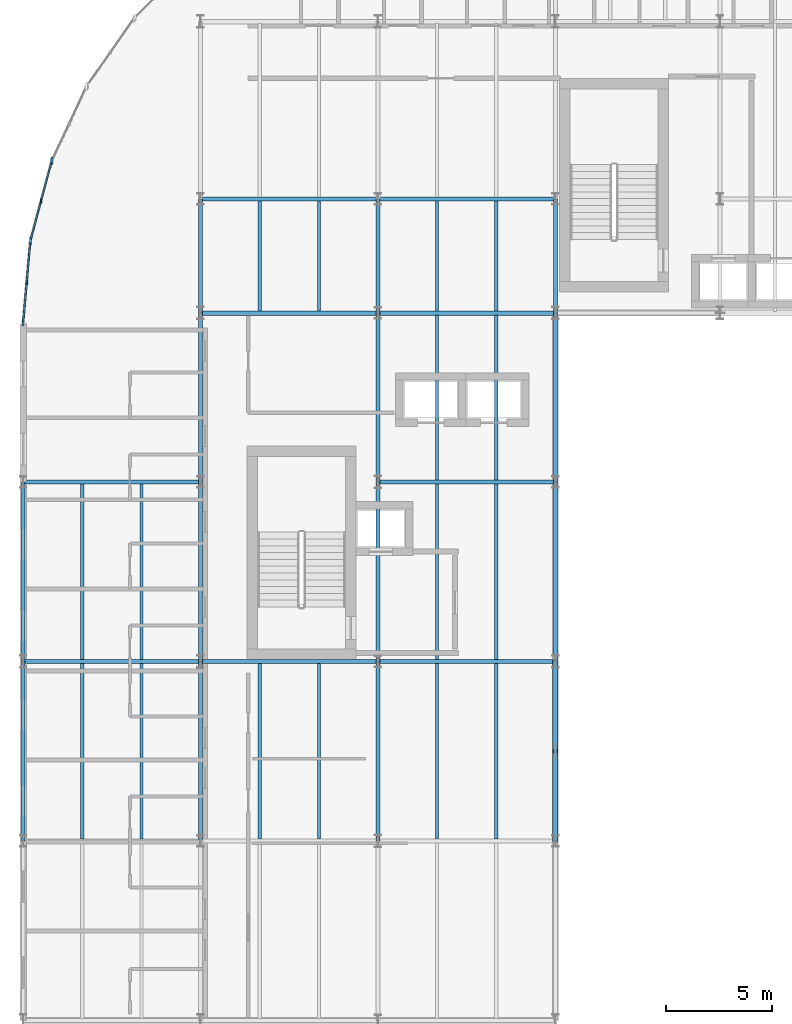
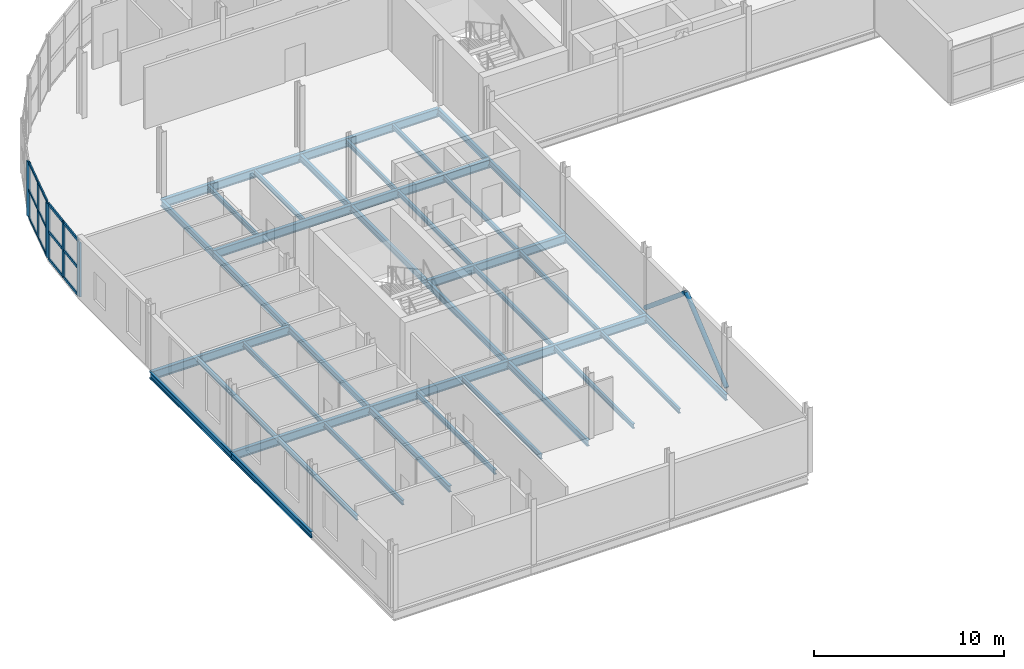
# One storey, part 13 of 45: 39 beams, 21 members, 3 elements without a shape of their own.
"""IFC4 building model written with IfcOpenShell, lengths in metres."""

from ifc_helpers import new_model, si_unit, direction, frame, origin, origin_2d, place, context, subcontext, project, spatial, rectangle, hollow_circle, i_section, extrude, material, layer, layer_set, material_profile, profile_set, type_object, element, aggregate, save


model = new_model("IFC4")

# Units and contexts
model_context = context("Model", 3, precision=1e-05, world=origin(), true_north=direction((0.0, 1.0)))
body_context = subcontext(model_context, "Body", "Model", "MODEL_VIEW")
ifc_project = project(units=[si_unit("LENGTHUNIT", "METRE"), si_unit("AREAUNIT", "SQUARE_METRE"), si_unit("VOLUMEUNIT", "CUBIC_METRE"), si_unit("PLANEANGLEUNIT", "RADIAN"), si_unit("MASSUNIT", "GRAM", prefix="KILO")], contexts=[model_context])

# Site, building, storey
site_placement = place(None, origin())
site = spatial("IfcSite", under=ifc_project, at=site_placement, CompositionType="ELEMENT")
building_placement = place(site_placement, origin())
building = spatial("IfcBuilding", under=site, at=building_placement, Name="Sefraquen Railside Congress Hotel", CompositionType="ELEMENT")
storey_placement = place(building_placement, frame((0.0, 0.0, 20.39990234375)))
storey = spatial("IfcBuildingStorey", under=building, at=storey_placement, Name="L04", CompositionType="ELEMENT", Elevation=20.39990234375)

# Beams
ifc_material_1 = material(Name="Steel S355JR", Category="steel")
ifc_material_profile_1 = material_profile(ifc_material_1, i_section(OverallWidth=0.179931640625, OverallDepth=0.39990234375, WebThickness=0.008544921875, FlangeThickness=0.013427734375, FilletRadius=0.02099609375, at=origin_2d()), Name="IPE 400")
ifc_profile_set_1 = profile_set([ifc_material_profile_1], Name="Steel S355JR")
beam_type_1 = type_object("IfcBeamType", Name="TB-BM-400I", PredefinedType="BEAM", material=ifc_profile_set_1)
for number, where, z_axis, x_axis, name in (
    (1, (0.0, 71.0, -0.47998046875), (0.0, 1.0, 0.0), (-1.0, 0.0, 0.0), "Floor beam BM-L04-1342"),
    (2, (0.0, 79.5, -0.47998046875), (0.0, 1.0, 0.0), (-1.0, 0.0, 0.0), "Floor beam BM-L04-1343"),
    (3, (8.39990234375, 71.0, -0.47998046875), (0.0, 1.0, 0.0), (-1.0, 0.0, 0.0), "Floor beam BM-L04-1345"),
    (4, (8.39990234375, 79.5, -0.47998046875), (0.0, 1.0, 0.0), (-1.0, 0.0, 0.0), "Floor beam BM-L04-1346"),
):
    element("IfcBeam", number, at=place(storey_placement, frame(where, z_axis=z_axis, x_axis=x_axis)), inside=storey, type_object=beam_type_1, Name=name, PredefinedType="BEAM", context=body_context, shape_type="SweptSolid", body=[
        extrude(i_section(OverallWidth=0.179931640625, OverallDepth=0.39990234375, WebThickness=0.008544921875, FlangeThickness=0.013427734375, FilletRadius=0.02099609375, at=origin_2d()), origin(), (0.0, 0.0, 1.0), 8.5),
    ])
beam_1_placement = place(storey_placement, frame((8.39990234375, 88.0, -0.47998046875), z_axis=(0.0, 1.0, 0.0), x_axis=(-1.0, 0.0, 0.0)))
element("IfcBeam", 5, at=beam_1_placement, inside=storey, type_object=beam_type_1, Name="Floor beam BM-L04-1347", PredefinedType="BEAM", context=body_context, shape_type="SweptSolid", body=[
    extrude(i_section(OverallWidth=0.179931640625, OverallDepth=0.39990234375, WebThickness=0.008544921875, FlangeThickness=0.013427734375, FilletRadius=0.02099609375, at=origin_2d()), origin(), (0.0, 0.0, 1.0), 8.0),
])
beam_2_placement = place(storey_placement, frame((8.39990234375, 96.0, -0.47998046875), z_axis=(0.0, 1.0, 0.0), x_axis=(-1.0, 0.0, 0.0)))
element("IfcBeam", 6, at=beam_2_placement, inside=storey, type_object=beam_type_1, Name="Floor beam BM-L04-1348", PredefinedType="BEAM", context=body_context, shape_type="SweptSolid", body=[
    extrude(i_section(OverallWidth=0.179931640625, OverallDepth=0.39990234375, WebThickness=0.008544921875, FlangeThickness=0.013427734375, FilletRadius=0.02099609375, at=origin_2d()), origin(), (0.0, 0.0, 1.0), 5.39990234375),
])
for number, where, z_axis, x_axis, name in (
    (7, (16.800048828125, 71.0, -0.47998046875), (0.0, 1.0, 0.0), (-1.0, 0.0, 0.0), "Floor beam BM-L04-1351"),
    (8, (16.800048828125, 79.5, -0.47998046875), (0.0, 1.0, 0.0), (-1.0, 0.0, 0.0), "Floor beam BM-L04-1352"),
):
    element("IfcBeam", number, at=place(storey_placement, frame(where, z_axis=z_axis, x_axis=x_axis)), inside=storey, type_object=beam_type_1, Name=name, PredefinedType="BEAM", context=body_context, shape_type="SweptSolid", body=[
        extrude(i_section(OverallWidth=0.179931640625, OverallDepth=0.39990234375, WebThickness=0.008544921875, FlangeThickness=0.013427734375, FilletRadius=0.02099609375, at=origin_2d()), origin(), (0.0, 0.0, 1.0), 8.5),
    ])
beam_3_placement = place(storey_placement, frame((16.800048828125, 88.0, -0.47998046875), z_axis=(0.0, 1.0, 0.0), x_axis=(-1.0, 0.0, 0.0)))
element("IfcBeam", 9, at=beam_3_placement, inside=storey, type_object=beam_type_1, Name="Floor beam BM-L04-1353", PredefinedType="BEAM", context=body_context, shape_type="SweptSolid", body=[
    extrude(i_section(OverallWidth=0.179931640625, OverallDepth=0.39990234375, WebThickness=0.008544921875, FlangeThickness=0.013427734375, FilletRadius=0.02099609375, at=origin_2d()), origin(), (0.0, 0.0, 1.0), 8.0),
])
beam_4_placement = place(storey_placement, frame((16.800048828125, 96.0, -0.47998046875), z_axis=(0.0, 1.0, 0.0), x_axis=(-1.0, 0.0, 0.0)))
element("IfcBeam", 10, at=beam_4_placement, inside=storey, type_object=beam_type_1, Name="Floor beam BM-L04-1354", PredefinedType="BEAM", context=body_context, shape_type="SweptSolid", body=[
    extrude(i_section(OverallWidth=0.179931640625, OverallDepth=0.39990234375, WebThickness=0.008544921875, FlangeThickness=0.013427734375, FilletRadius=0.02099609375, at=origin_2d()), origin(), (0.0, 0.0, 1.0), 5.39990234375),
])
for number, where, z_axis, x_axis, name in (
    (11, (25.199951171875, 71.0, -0.47998046875), (0.0, 1.0, 0.0), (-1.0, 0.0, 0.0), "Floor beam BM-L04-1357"),
    (12, (25.199951171875, 79.5, -0.47998046875), (0.0, 1.0, 0.0), (-1.0, 0.0, 0.0), "Floor beam BM-L04-1358"),
):
    element("IfcBeam", number, at=place(storey_placement, frame(where, z_axis=z_axis, x_axis=x_axis)), inside=storey, type_object=beam_type_1, Name=name, PredefinedType="BEAM", context=body_context, shape_type="SweptSolid", body=[
        extrude(i_section(OverallWidth=0.179931640625, OverallDepth=0.39990234375, WebThickness=0.008544921875, FlangeThickness=0.013427734375, FilletRadius=0.02099609375, at=origin_2d()), origin(), (0.0, 0.0, 1.0), 8.5),
    ])
beam_5_placement = place(storey_placement, frame((25.199951171875, 88.0, -0.47998046875), z_axis=(0.0, 1.0, 0.0), x_axis=(-1.0, 0.0, 0.0)))
element("IfcBeam", 13, at=beam_5_placement, inside=storey, type_object=beam_type_1, Name="Floor beam BM-L04-1359", PredefinedType="BEAM", context=body_context, shape_type="SweptSolid", body=[
    extrude(i_section(OverallWidth=0.179931640625, OverallDepth=0.39990234375, WebThickness=0.008544921875, FlangeThickness=0.013427734375, FilletRadius=0.02099609375, at=origin_2d()), origin(), (0.0, 0.0, 1.0), 8.0),
])
beam_6_placement = place(storey_placement, frame((25.199951171875, 96.0, -0.47998046875), z_axis=(0.0, 1.0, 0.0), x_axis=(-1.0, 0.0, 0.0)))
element("IfcBeam", 14, at=beam_6_placement, inside=storey, type_object=beam_type_1, Name="Floor beam BM-L04-1360", PredefinedType="BEAM", context=body_context, shape_type="SweptSolid", body=[
    extrude(i_section(OverallWidth=0.179931640625, OverallDepth=0.39990234375, WebThickness=0.008544921875, FlangeThickness=0.013427734375, FilletRadius=0.02099609375, at=origin_2d()), origin(), (0.0, 0.0, 1.0), 5.39990234375),
])
ifc_material_profile_2 = material_profile(ifc_material_1, i_section(OverallWidth=0.2099609375, OverallDepth=0.550048828125, WebThickness=0.010986328125, FlangeThickness=0.01708984375, FilletRadius=0.02392578125, at=origin_2d()), Name="IPE 550")
ifc_profile_set_2 = profile_set([ifc_material_profile_2], Name="Steel S355JR")
beam_type_2 = type_object("IfcBeamType", Name="TB-GIR-550", PredefinedType="T_BEAM", material=ifc_profile_set_2)
beam_7_placement = place(storey_placement, frame((0.0, 79.5, -0.554931640625), z_axis=(1.0, 0.0, 0.0), x_axis=(0.0, 1.0, 0.0)))
element("IfcBeam", 15, at=beam_7_placement, inside=storey, type_object=beam_type_2, Name="Primary girder BM-L04-1272", PredefinedType="T_BEAM", context=body_context, shape_type="SweptSolid", body=[
    extrude(i_section(OverallWidth=0.2099609375, OverallDepth=0.550048828125, WebThickness=0.010986328125, FlangeThickness=0.01708984375, FilletRadius=0.02392578125, at=origin_2d()), origin(), (0.0, 0.0, 1.0), 8.39990234375),
])
beam_8_placement = place(storey_placement, frame((8.39990234375, 79.5, -0.554931640625), z_axis=(1.0, 0.0, 0.0), x_axis=(0.0, 1.0, 0.0)))
element("IfcBeam", 16, at=beam_8_placement, inside=storey, type_object=beam_type_2, Name="Primary girder BM-L04-1273", PredefinedType="T_BEAM", context=body_context, shape_type="SweptSolid", body=[
    extrude(i_section(OverallWidth=0.2099609375, OverallDepth=0.550048828125, WebThickness=0.010986328125, FlangeThickness=0.01708984375, FilletRadius=0.02392578125, at=origin_2d()), origin(), (0.0, 0.0, 1.0), 8.400146484375),
])
for number, where, z_axis, x_axis, name in (
    (17, (16.800048828125, 79.5, -0.554931640625), (1.0, 0.0, 0.0), (0.0, 1.0, 0.0), "Primary girder BM-L04-1274"),
    (18, (0.0, 88.0, -0.554931640625), (1.0, 0.0, 0.0), (0.0, 1.0, 0.0), "Primary girder BM-L04-1277"),
    (19, (16.800048828125, 88.0, -0.554931640625), (1.0, 0.0, 0.0), (0.0, 1.0, 0.0), "Primary girder BM-L04-1278"),
):
    element("IfcBeam", number, at=place(storey_placement, frame(where, z_axis=z_axis, x_axis=x_axis)), inside=storey, type_object=beam_type_2, Name=name, PredefinedType="T_BEAM", context=body_context, shape_type="SweptSolid", body=[
        extrude(i_section(OverallWidth=0.2099609375, OverallDepth=0.550048828125, WebThickness=0.010986328125, FlangeThickness=0.01708984375, FilletRadius=0.02392578125, at=origin_2d()), origin(), (0.0, 0.0, 1.0), 8.39990234375),
    ])
beam_9_placement = place(storey_placement, frame((8.39990234375, 96.0, -0.554931640625), z_axis=(1.0, 0.0, 0.0), x_axis=(0.0, 1.0, 0.0)))
element("IfcBeam", 20, at=beam_9_placement, inside=storey, type_object=beam_type_2, Name="Primary girder BM-L04-1288", PredefinedType="T_BEAM", context=body_context, shape_type="SweptSolid", body=[
    extrude(i_section(OverallWidth=0.2099609375, OverallDepth=0.550048828125, WebThickness=0.010986328125, FlangeThickness=0.01708984375, FilletRadius=0.02392578125, at=origin_2d()), origin(), (0.0, 0.0, 1.0), 8.400146484375),
])
beam_10_placement = place(storey_placement, frame((16.800048828125, 96.0, -0.554931640625), z_axis=(1.0, 0.0, 0.0), x_axis=(0.0, 1.0, 0.0)))
element("IfcBeam", 21, at=beam_10_placement, inside=storey, type_object=beam_type_2, Name="Primary girder BM-L04-1289", PredefinedType="T_BEAM", context=body_context, shape_type="SweptSolid", body=[
    extrude(i_section(OverallWidth=0.2099609375, OverallDepth=0.550048828125, WebThickness=0.010986328125, FlangeThickness=0.01708984375, FilletRadius=0.02392578125, at=origin_2d()), origin(), (0.0, 0.0, 1.0), 8.39990234375),
])
beam_11_placement = place(storey_placement, frame((8.39990234375, 101.39990234375, -0.554931640625), z_axis=(1.0, 0.0, 0.0), x_axis=(0.0, 1.0, 0.0)))
element("IfcBeam", 22, at=beam_11_placement, inside=storey, type_object=beam_type_2, Name="Primary girder BM-L04-1303", PredefinedType="T_BEAM", context=body_context, shape_type="SweptSolid", body=[
    extrude(i_section(OverallWidth=0.2099609375, OverallDepth=0.550048828125, WebThickness=0.010986328125, FlangeThickness=0.01708984375, FilletRadius=0.02392578125, at=origin_2d()), origin(), (0.0, 0.0, 1.0), 8.400146484375),
])
beam_12_placement = place(storey_placement, frame((16.800048828125, 101.39990234375, -0.554931640625), z_axis=(1.0, 0.0, 0.0), x_axis=(0.0, 1.0, 0.0)))
element("IfcBeam", 23, at=beam_12_placement, inside=storey, type_object=beam_type_2, Name="Primary girder BM-L04-1304", PredefinedType="T_BEAM", context=body_context, shape_type="SweptSolid", body=[
    extrude(i_section(OverallWidth=0.2099609375, OverallDepth=0.550048828125, WebThickness=0.010986328125, FlangeThickness=0.01708984375, FilletRadius=0.02392578125, at=origin_2d()), origin(), (0.0, 0.0, 1.0), 8.39990234375),
])
ifc_material_profile_3 = material_profile(ifc_material_1, i_section(OverallWidth=0.14990234375, OverallDepth=0.300048828125, WebThickness=0.007080078125, FlangeThickness=0.0107421875, FilletRadius=0.014892578125, at=origin_2d()), Name="IPE 300")
ifc_profile_set_3 = profile_set([ifc_material_profile_3], Name="Steel S355JR")
beam_type_3 = type_object("IfcBeamType", Name="TB-JST-300", PredefinedType="JOIST", material=ifc_profile_set_3)
for number, where, z_axis, x_axis, name in (
    (24, (2.800048828125, 71.0849609375, -0.429931640625), (0.0, 1.0, 0.0), (-1.0, 0.0, 0.0), "Composite floor joist BM-L04-J0824"),
    (25, (5.60009765625, 71.0849609375, -0.429931640625), (0.0, 1.0, 0.0), (-1.0, 0.0, 0.0), "Composite floor joist BM-L04-J0825"),
    (26, (2.800048828125, 79.5849609375, -0.429931640625), (0.0, 1.0, 0.0), (-1.0, 0.0, 0.0), "Composite floor joist BM-L04-J0826"),
    (27, (5.60009765625, 79.5849609375, -0.429931640625), (0.0, 1.0, 0.0), (-1.0, 0.0, 0.0), "Composite floor joist BM-L04-J0827"),
    (28, (11.199951171875, 71.0849609375, -0.429931640625), (0.0, 1.0, 0.0), (-1.0, 0.0, 0.0), "Composite floor joist BM-L04-J0830"),
    (29, (14.0, 71.0849609375, -0.429931640625), (0.0, 1.0, 0.0), (-1.0, 0.0, 0.0), "Composite floor joist BM-L04-J0831"),
):
    element("IfcBeam", number, at=place(storey_placement, frame(where, z_axis=z_axis, x_axis=x_axis)), inside=storey, type_object=beam_type_3, Name=name, PredefinedType="JOIST", context=body_context, shape_type="SweptSolid", body=[
        extrude(i_section(OverallWidth=0.14990234375, OverallDepth=0.300048828125, WebThickness=0.007080078125, FlangeThickness=0.0107421875, FilletRadius=0.014892578125, at=origin_2d()), origin(), (0.0, 0.0, 1.0), 8.330078125),
    ])
for number, where, z_axis, x_axis, name in (
    (30, (11.199951171875, 96.0849609375, -0.429931640625), (0.0, 1.0, 0.0), (-1.0, 0.0, 0.0), "Composite floor joist BM-L04-J0832"),
    (31, (14.0, 96.0849609375, -0.429931640625), (0.0, 1.0, 0.0), (-1.0, 0.0, 0.0), "Composite floor joist BM-L04-J0833"),
):
    element("IfcBeam", number, at=place(storey_placement, frame(where, z_axis=z_axis, x_axis=x_axis)), inside=storey, type_object=beam_type_3, Name=name, PredefinedType="JOIST", context=body_context, shape_type="SweptSolid", body=[
        extrude(i_section(OverallWidth=0.14990234375, OverallDepth=0.300048828125, WebThickness=0.007080078125, FlangeThickness=0.0107421875, FilletRadius=0.014892578125, at=origin_2d()), origin(), (0.0, 0.0, 1.0), 5.22998046875),
    ])
for number, where, z_axis, x_axis, name in (
    (32, (19.60009765625, 71.0849609375, -0.429931640625), (0.0, 1.0, 0.0), (-1.0, 0.0, 0.0), "Composite floor joist BM-L04-J0838"),
    (33, (22.39990234375, 71.0849609375, -0.429931640625), (0.0, 1.0, 0.0), (-1.0, 0.0, 0.0), "Composite floor joist BM-L04-J0839"),
    (34, (19.60009765625, 79.5849609375, -0.429931640625), (0.0, 1.0, 0.0), (-1.0, 0.0, 0.0), "Composite floor joist BM-L04-J0840"),
    (35, (22.39990234375, 79.5849609375, -0.429931640625), (0.0, 1.0, 0.0), (-1.0, 0.0, 0.0), "Composite floor joist BM-L04-J0841"),
):
    element("IfcBeam", number, at=place(storey_placement, frame(where, z_axis=z_axis, x_axis=x_axis)), inside=storey, type_object=beam_type_3, Name=name, PredefinedType="JOIST", context=body_context, shape_type="SweptSolid", body=[
        extrude(i_section(OverallWidth=0.14990234375, OverallDepth=0.300048828125, WebThickness=0.007080078125, FlangeThickness=0.0107421875, FilletRadius=0.014892578125, at=origin_2d()), origin(), (0.0, 0.0, 1.0), 8.330078125),
    ])
for number, where, z_axis, x_axis, name in (
    (36, (19.60009765625, 88.0849609375, -0.429931640625), (0.0, 1.0, 0.0), (-1.0, 0.0, 0.0), "Composite floor joist BM-L04-J0842"),
    (37, (22.39990234375, 88.0849609375, -0.429931640625), (0.0, 1.0, 0.0), (-1.0, 0.0, 0.0), "Composite floor joist BM-L04-J0843"),
):
    element("IfcBeam", number, at=place(storey_placement, frame(where, z_axis=z_axis, x_axis=x_axis)), inside=storey, type_object=beam_type_3, Name=name, PredefinedType="JOIST", context=body_context, shape_type="SweptSolid", body=[
        extrude(i_section(OverallWidth=0.14990234375, OverallDepth=0.300048828125, WebThickness=0.007080078125, FlangeThickness=0.0107421875, FilletRadius=0.014892578125, at=origin_2d()), origin(), (0.0, 0.0, 1.0), 7.830078125),
    ])
for number, where, z_axis, x_axis, name in (
    (38, (19.60009765625, 96.0849609375, -0.429931640625), (0.0, 1.0, 0.0), (-1.0, 0.0, 0.0), "Composite floor joist BM-L04-J0844"),
    (39, (22.39990234375, 96.0849609375, -0.429931640625), (0.0, 1.0, 0.0), (-1.0, 0.0, 0.0), "Composite floor joist BM-L04-J0845"),
):
    element("IfcBeam", number, at=place(storey_placement, frame(where, z_axis=z_axis, x_axis=x_axis)), inside=storey, type_object=beam_type_3, Name=name, PredefinedType="JOIST", context=body_context, shape_type="SweptSolid", body=[
        extrude(i_section(OverallWidth=0.14990234375, OverallDepth=0.300048828125, WebThickness=0.007080078125, FlangeThickness=0.0107421875, FilletRadius=0.014892578125, at=origin_2d()), origin(), (0.0, 0.0, 1.0), 5.22998046875),
    ])

# Members
ifc_material_2 = material(Name="Steel S355J2", Category="steel")
ifc_material_profile_4 = material_profile(ifc_material_2, hollow_circle(Radius=0.136474609375, WallThickness=0.012451171875, at=origin_2d()), Name="CHS 273x12.5")
ifc_profile_set_4 = profile_set([ifc_material_profile_4], Name="Steel S355J2")
member_type_1 = type_object("IfcMemberType", Name="TM-BR-273", PredefinedType="BRACE", material=ifc_profile_set_4)
for number, where, z_axis, x_axis, name in (
    (40, (25.199951171875, 71.0, 0.150146484375), (0.0, 0.768365976922, 0.640010722964), (-1.0, 0.0, 0.0), "Chevron braced-frame diagonal BF2-L L04"),
    (41, (25.199951171875, 79.5, 0.150146484375), (0.0, -0.768365976922, 0.640010722964), (1.0, 0.0, 0.0), "Chevron braced-frame diagonal BF2-R L04"),
):
    element("IfcMember", number, at=place(storey_placement, frame(where, z_axis=z_axis, x_axis=x_axis)), inside=storey, type_object=member_type_1, Name=name, PredefinedType="BRACE", context=body_context, shape_type="SweptSolid", body=[
        extrude(hollow_circle(Radius=0.136474609375, WallThickness=0.012451171875, at=origin_2d()), origin(), (0.0, 0.0, 1.0), 5.53125),
    ])

# Curtain wall, member
ifc_material_3 = material(Name="Thermally broken anodised aluminium and low-E double glazing", Category="aluminium")
ifc_layer_1 = layer(ifc_material_3, 0.199951171875)
ifc_layer_set_1 = layer_set([ifc_layer_1], Name="Thermally broken anodised aluminium and low-E double glazing")
curtain_wall_type_1 = type_object("IfcCurtainWallType", Name="TCW-UCW-12", PredefinedType="USERDEFINED", material=ifc_layer_set_1)
curtain_wall_1_placement = place(storey_placement, origin())
curtain_wall_1 = element("IfcCurtainWall", 42, at=curtain_wall_1_placement, inside=storey, type_object=curtain_wall_type_1, Name="Rotunda L04 curved curtain wall facet 8", ObjectType="UNITISED CURTAIN WALL", PredefinedType="USERDEFINED")
ifc_material_4 = material(Name="Thermally broken anodised aluminium 6063-T6", Category="aluminium")
ifc_material_profile_5 = material_profile(ifc_material_4, rectangle(XDim=0.070068359375, YDim=0.199951171875, at=origin_2d()), Name="CWM 70x200")
ifc_profile_set_5 = profile_set([ifc_material_profile_5], Name="Thermally broken anodised aluminium 6063-T6")
member_type_2 = type_object("IfcMemberType", Name="TM-CWM-03", PredefinedType="MULLION", material=ifc_profile_set_5)
member_1_placement = place(storey_placement, frame((0.849365234375, 101.30126953125, 0.0), z_axis=(0.0, 0.0, 1.0), x_axis=(1.0, 0.0, 0.0)))
member_1 = element("IfcMember", 43, at=member_1_placement, type_object=member_type_2, Name="CW-L04-ROT-08 mullion 2", PredefinedType="MULLION", context=body_context, shape_type="SweptSolid", body=[
    extrude(rectangle(XDim=0.070068359375, YDim=0.199951171875, at=origin_2d()), origin(), (0.0, 0.0, 1.0), 3.489990234375),
])

ifc_layer_2 = layer(ifc_material_3, 0.199951171875)
ifc_layer_set_2 = layer_set([ifc_layer_2], Name="Thermally broken anodised aluminium and low-E double glazing")
curtain_wall_type_2 = type_object("IfcCurtainWallType", Name="TCW-UCW-13", PredefinedType="USERDEFINED", material=ifc_layer_set_2)
curtain_wall_2_placement = place(storey_placement, origin())
curtain_wall_2 = element("IfcCurtainWall", 44, at=curtain_wall_2_placement, inside=storey, type_object=curtain_wall_type_2, Name="Rotunda L04 curved curtain wall facet 9", ObjectType="UNITISED CURTAIN WALL", PredefinedType="USERDEFINED")
ifc_material_profile_6 = material_profile(ifc_material_4, rectangle(XDim=0.074951171875, YDim=0.219970703125, at=origin_2d()), Name="CWM 75x220")
ifc_profile_set_6 = profile_set([ifc_material_profile_6], Name="Thermally broken anodised aluminium 6063-T6")
member_type_3 = type_object("IfcMemberType", Name="TM-CWM-04", PredefinedType="MULLION", material=ifc_profile_set_6)
member_2_placement = place(storey_placement, frame((0.1708984375, 97.45361328125, 0.0), z_axis=(0.0, 0.0, 1.0), x_axis=(1.0, 0.0, 0.0)))
member_2 = element("IfcMember", 45, at=member_2_placement, type_object=member_type_3, Name="CW-L04-ROT-09 mullion 2", PredefinedType="MULLION", context=body_context, shape_type="SweptSolid", body=[
    extrude(rectangle(XDim=0.074951171875, YDim=0.219970703125, at=origin_2d()), origin(), (0.0, 0.0, 1.0), 3.489990234375),
])

ifc_layer_3 = layer(ifc_material_3, 0.199951171875)
ifc_layer_set_3 = layer_set([ifc_layer_3], Name="Thermally broken anodised aluminium and low-E double glazing")
curtain_wall_type_3 = type_object("IfcCurtainWallType", Name="TCW-UCW-11", PredefinedType="USERDEFINED", material=ifc_layer_set_3)
curtain_wall_3_placement = place(storey_placement, origin())
curtain_wall_3 = element("IfcCurtainWall", 46, at=curtain_wall_3_placement, inside=storey, type_object=curtain_wall_type_3, Name="Rotunda L04 curved curtain wall facet 7", ObjectType="UNITISED CURTAIN WALL", PredefinedType="USERDEFINED")
ifc_material_profile_7 = material_profile(ifc_material_4, rectangle(XDim=0.094970703125, YDim=0.300048828125, at=origin_2d()), Name="CWM 95x300")
ifc_profile_set_7 = profile_set([ifc_material_profile_7], Name="Thermally broken anodised aluminium 6063-T6")
member_type_4 = type_object("IfcMemberType", Name="TM-CWM-08", PredefinedType="MULLION", material=ifc_profile_set_7)
member_3_placement = place(storey_placement, frame((1.373779296875, 103.231689453125, 0.0), z_axis=(0.0, 0.0, 1.0), x_axis=(1.0, 0.0, 0.0)))
member_3 = element("IfcMember", 47, at=member_3_placement, type_object=member_type_4, Name="CW-L04-ROT-07 mullion 3", PredefinedType="MULLION", context=body_context, shape_type="SweptSolid", body=[
    extrude(rectangle(XDim=0.094970703125, YDim=0.300048828125, at=origin_2d()), origin(), (0.0, 0.0, 1.0), 3.489990234375),
])
aggregate(curtain_wall_3, [member_3])

# Member
member_4_placement = place(storey_placement, frame((1.346435546875, 103.156982421875, 0.0), z_axis=(0.0, 0.0, 1.0), x_axis=(1.0, 0.0, 0.0)))
member_4 = element("IfcMember", 48, at=member_4_placement, type_object=member_type_4, Name="CW-L04-ROT-08 mullion 1", PredefinedType="MULLION", context=body_context, shape_type="SweptSolid", body=[
    extrude(rectangle(XDim=0.094970703125, YDim=0.300048828125, at=origin_2d()), origin(), (0.0, 0.0, 1.0), 3.489990234375),
])

member_5_placement = place(storey_placement, frame((0.352294921875, 99.44580078125, 0.0), z_axis=(0.0, 0.0, 1.0), x_axis=(1.0, 0.0, 0.0)))
member_5 = element("IfcMember", 49, at=member_5_placement, type_object=member_type_4, Name="CW-L04-ROT-08 mullion 3", PredefinedType="MULLION", context=body_context, shape_type="SweptSolid", body=[
    extrude(rectangle(XDim=0.094970703125, YDim=0.300048828125, at=origin_2d()), origin(), (0.0, 0.0, 1.0), 3.489990234375),
])

member_6_placement = place(storey_placement, frame((0.33837890625, 99.3671875, 0.0), z_axis=(0.0, 0.0, 1.0), x_axis=(1.0, 0.0, 0.0)))
member_6 = element("IfcMember", 50, at=member_6_placement, type_object=member_type_4, Name="CW-L04-ROT-09 mullion 1", PredefinedType="MULLION", context=body_context, shape_type="SweptSolid", body=[
    extrude(rectangle(XDim=0.094970703125, YDim=0.300048828125, at=origin_2d()), origin(), (0.0, 0.0, 1.0), 3.489990234375),
])

member_7_placement = place(storey_placement, frame((0.00341796875, 95.539794921875, 0.0), z_axis=(0.0, 0.0, 1.0), x_axis=(1.0, 0.0, 0.0)))
member_7 = element("IfcMember", 51, at=member_7_placement, type_object=member_type_4, Name="CW-L04-ROT-09 mullion 3", PredefinedType="MULLION", context=body_context, shape_type="SweptSolid", body=[
    extrude(rectangle(XDim=0.094970703125, YDim=0.300048828125, at=origin_2d()), origin(), (0.0, 0.0, 1.0), 3.489990234375),
])

ifc_material_profile_8 = material_profile(ifc_material_4, rectangle(XDim=0.074951171875, YDim=0.1650390625, at=origin_2d()), Name="CWT 75x165")
ifc_profile_set_8 = profile_set([ifc_material_profile_8], Name="Thermally broken anodised aluminium 6063-T6")
member_type_5 = type_object("IfcMemberType", Name="TM-CWT-04", PredefinedType="USERDEFINED", material=ifc_profile_set_8)
member_8_placement = place(storey_placement, frame((1.3349609375, 103.11328125, 0.0), z_axis=(-0.25894046868, -0.965893282759, 0.0), x_axis=(0.965893282759, -0.25894046868, 0.0)))
member_8 = element("IfcMember", 52, at=member_8_placement, type_object=member_type_5, Name="CW-L04-ROT-08 transom 1.1", ObjectType="TRANSOM", PredefinedType="USERDEFINED", context=body_context, shape_type="SweptSolid", body=[
    extrude(rectangle(XDim=0.074951171875, YDim=0.1650390625, at=origin_2d()), origin(), (0.0, 0.0, 1.0), 1.8310546875),
])

member_9_placement = place(storey_placement, frame((0.837646484375, 101.2578125, 0.0), z_axis=(-0.258816065499, -0.965926624666, 0.0), x_axis=(0.965926624666, -0.258816065499, 0.0)))
member_9 = element("IfcMember", 53, at=member_9_placement, type_object=member_type_5, Name="CW-L04-ROT-08 transom 1.2", ObjectType="TRANSOM", PredefinedType="USERDEFINED", context=body_context, shape_type="SweptSolid", body=[
    extrude(rectangle(XDim=0.074951171875, YDim=0.1650390625, at=origin_2d()), origin(), (0.0, 0.0, 1.0), 1.8310546875),
])

member_10_placement = place(storey_placement, frame((1.3349609375, 103.11328125, 1.7451171875), z_axis=(-0.25894046868, -0.965893282759, 0.0), x_axis=(0.965893282759, -0.25894046868, 0.0)))
member_10 = element("IfcMember", 54, at=member_10_placement, type_object=member_type_5, Name="CW-L04-ROT-08 transom 2.1", ObjectType="TRANSOM", PredefinedType="USERDEFINED", context=body_context, shape_type="SweptSolid", body=[
    extrude(rectangle(XDim=0.074951171875, YDim=0.1650390625, at=origin_2d()), origin(), (0.0, 0.0, 1.0), 1.8310546875),
])

member_11_placement = place(storey_placement, frame((0.837646484375, 101.2578125, 1.7451171875), z_axis=(-0.258816065499, -0.965926624666, 0.0), x_axis=(0.965926624666, -0.258816065499, 0.0)))
member_11 = element("IfcMember", 55, at=member_11_placement, type_object=member_type_5, Name="CW-L04-ROT-08 transom 2.2", ObjectType="TRANSOM", PredefinedType="USERDEFINED", context=body_context, shape_type="SweptSolid", body=[
    extrude(rectangle(XDim=0.074951171875, YDim=0.1650390625, at=origin_2d()), origin(), (0.0, 0.0, 1.0), 1.8310546875),
])

member_12_placement = place(storey_placement, frame((1.3349609375, 103.11328125, 3.489990234375), z_axis=(-0.25894046868, -0.965893282759, 0.0), x_axis=(0.965893282759, -0.25894046868, 0.0)))
member_12 = element("IfcMember", 56, at=member_12_placement, type_object=member_type_5, Name="CW-L04-ROT-08 transom 3.1", ObjectType="TRANSOM", PredefinedType="USERDEFINED", context=body_context, shape_type="SweptSolid", body=[
    extrude(rectangle(XDim=0.074951171875, YDim=0.1650390625, at=origin_2d()), origin(), (0.0, 0.0, 1.0), 1.8310546875),
])

member_13_placement = place(storey_placement, frame((0.837646484375, 101.2578125, 3.489990234375), z_axis=(-0.258816065499, -0.965926624666, 0.0), x_axis=(0.965926624666, -0.258816065499, 0.0)))
member_13 = element("IfcMember", 57, at=member_13_placement, type_object=member_type_5, Name="CW-L04-ROT-08 transom 3.2", ObjectType="TRANSOM", PredefinedType="USERDEFINED", context=body_context, shape_type="SweptSolid", body=[
    extrude(rectangle(XDim=0.074951171875, YDim=0.1650390625, at=origin_2d()), origin(), (0.0, 0.0, 1.0), 1.8310546875),
])

aggregate(curtain_wall_1, [member_4, member_1, member_5, member_8, member_9, member_10, member_11, member_12, member_13])

ifc_material_profile_9 = material_profile(ifc_material_4, rectangle(XDim=0.080078125, YDim=0.179931640625, at=origin_2d()), Name="CWT 80x180")
ifc_profile_set_9 = profile_set([ifc_material_profile_9], Name="Thermally broken anodised aluminium 6063-T6")
member_type_6 = type_object("IfcMemberType", Name="TM-CWT-05", PredefinedType="USERDEFINED", material=ifc_profile_set_9)
member_14_placement = place(storey_placement, frame((0.33447265625, 99.322509765625, 0.0), z_axis=(-0.087193412302, -0.996191401715, 0.0), x_axis=(0.996191401715, -0.087193412302, 0.0)))
member_14 = element("IfcMember", 58, at=member_14_placement, type_object=member_type_6, Name="CW-L04-ROT-09 transom 1.1", ObjectType="TRANSOM", PredefinedType="USERDEFINED", context=body_context, shape_type="SweptSolid", body=[
    extrude(rectangle(XDim=0.080078125, YDim=0.179931640625, at=origin_2d()), origin(), (0.0, 0.0, 1.0), 1.831298828125),
])

member_15_placement = place(storey_placement, frame((0.1669921875, 97.40869140625, 0.0), z_axis=(-0.08720499447, -0.996190387898, 0.0), x_axis=(0.996190387898, -0.08720499447, 0.0)))
member_15 = element("IfcMember", 59, at=member_15_placement, type_object=member_type_6, Name="CW-L04-ROT-09 transom 1.2", ObjectType="TRANSOM", PredefinedType="USERDEFINED", context=body_context, shape_type="SweptSolid", body=[
    extrude(rectangle(XDim=0.080078125, YDim=0.179931640625, at=origin_2d()), origin(), (0.0, 0.0, 1.0), 1.8310546875),
])

member_16_placement = place(storey_placement, frame((0.33447265625, 99.322509765625, 1.7451171875), z_axis=(-0.087193412302, -0.996191401715, 0.0), x_axis=(0.996191401715, -0.087193412302, 0.0)))
member_16 = element("IfcMember", 60, at=member_16_placement, type_object=member_type_6, Name="CW-L04-ROT-09 transom 2.1", ObjectType="TRANSOM", PredefinedType="USERDEFINED", context=body_context, shape_type="SweptSolid", body=[
    extrude(rectangle(XDim=0.080078125, YDim=0.179931640625, at=origin_2d()), origin(), (0.0, 0.0, 1.0), 1.831298828125),
])

member_17_placement = place(storey_placement, frame((0.1669921875, 97.40869140625, 1.7451171875), z_axis=(-0.08720499447, -0.996190387898, 0.0), x_axis=(0.996190387898, -0.08720499447, 0.0)))
member_17 = element("IfcMember", 61, at=member_17_placement, type_object=member_type_6, Name="CW-L04-ROT-09 transom 2.2", ObjectType="TRANSOM", PredefinedType="USERDEFINED", context=body_context, shape_type="SweptSolid", body=[
    extrude(rectangle(XDim=0.080078125, YDim=0.179931640625, at=origin_2d()), origin(), (0.0, 0.0, 1.0), 1.8310546875),
])

member_18_placement = place(storey_placement, frame((0.33447265625, 99.322509765625, 3.489990234375), z_axis=(-0.087193412302, -0.996191401715, 0.0), x_axis=(0.996191401715, -0.087193412302, 0.0)))
member_18 = element("IfcMember", 62, at=member_18_placement, type_object=member_type_6, Name="CW-L04-ROT-09 transom 3.1", ObjectType="TRANSOM", PredefinedType="USERDEFINED", context=body_context, shape_type="SweptSolid", body=[
    extrude(rectangle(XDim=0.080078125, YDim=0.179931640625, at=origin_2d()), origin(), (0.0, 0.0, 1.0), 1.831298828125),
])

member_19_placement = place(storey_placement, frame((0.1669921875, 97.40869140625, 3.489990234375), z_axis=(-0.08720499447, -0.996190387898, 0.0), x_axis=(0.996190387898, -0.08720499447, 0.0)))
member_19 = element("IfcMember", 63, at=member_19_placement, type_object=member_type_6, Name="CW-L04-ROT-09 transom 3.2", ObjectType="TRANSOM", PredefinedType="USERDEFINED", context=body_context, shape_type="SweptSolid", body=[
    extrude(rectangle(XDim=0.080078125, YDim=0.179931640625, at=origin_2d()), origin(), (0.0, 0.0, 1.0), 1.8310546875),
])

aggregate(curtain_wall_2, [member_6, member_2, member_7, member_14, member_15, member_16, member_17, member_18, member_19])

save(model, "model.ifc")
